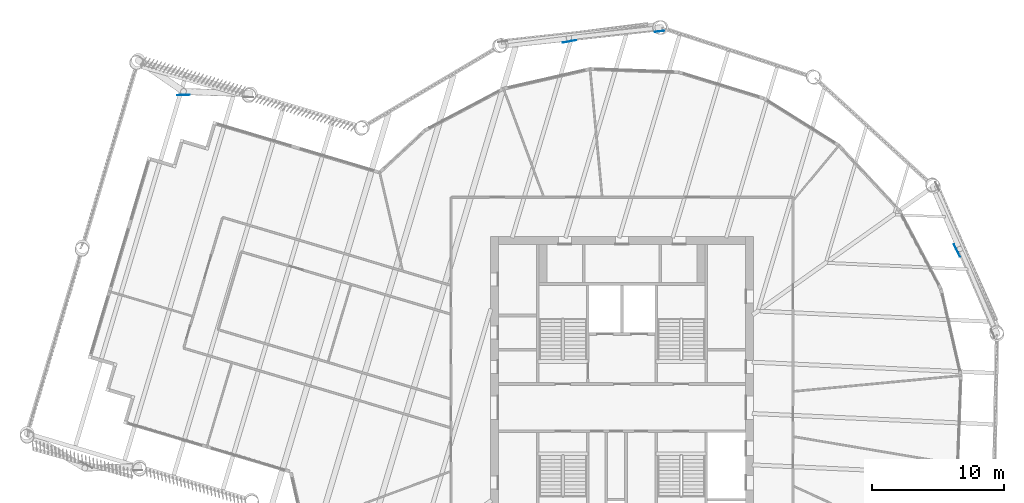
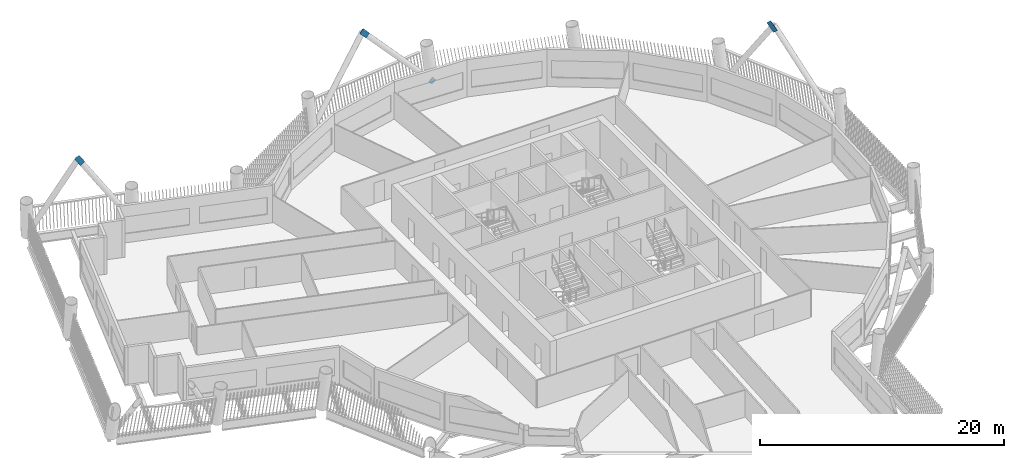
# One storey, part 11 of 24: 4 discrete accessories.
"""IFC4 building model written with IfcOpenShell, lengths in metres."""

from ifc_helpers import new_model, si_unit, direction, frame, origin, origin_2d, place, context, subcontext, project, spatial, rectangle, extrude, material, material_profile, profile_set, type_object, element, save


model = new_model("IFC4")

# Units and contexts
model_context = context("Model", 3, precision=1e-05, world=origin(), true_north=direction((0.0, 1.0)))
body_context = subcontext(model_context, "Body", "Model", "MODEL_VIEW")
ifc_project = project(units=[si_unit("LENGTHUNIT", "METRE"), si_unit("AREAUNIT", "SQUARE_METRE"), si_unit("VOLUMEUNIT", "CUBIC_METRE"), si_unit("PLANEANGLEUNIT", "RADIAN"), si_unit("MASSUNIT", "GRAM", prefix="KILO")], contexts=[model_context])

# Site, building, storey
site_placement = place(None, origin())
site = spatial("IfcSite", under=ifc_project, at=site_placement, CompositionType="ELEMENT")
building_placement = place(site_placement, origin())
building = spatial("IfcBuilding", under=site, at=building_placement, Name="Tarsis Ring Headquarters", CompositionType="ELEMENT")
storey_placement = place(building_placement, frame((0.0, 0.0, 216.0)))
storey = spatial("IfcBuildingStorey", under=building, at=storey_placement, Name="L50", CompositionType="ELEMENT", Elevation=216.0)

# Discrete accessories
ifc_material = material(Name="Structural steel S355", Category="steel")
ifc_material_profile = material_profile(ifc_material, rectangle(XDim=0.02490234375, YDim=0.5, at=origin_2d()), Name="PL 25x500")
ifc_profile_set = profile_set([ifc_material_profile], Name="Structural steel S355")
discrete_accessory_type = type_object("IfcDiscreteAccessoryType", Name="Gusset plate Exo brace 25", PredefinedType="BRACKET", material=ifc_profile_set)
discrete_accessory_1_placement = place(storey_placement, frame((25.618408203125, 11.64697265625, 7.4296875), z_axis=(-0.304175904082, 0.599075175455, 0.74066588522), x_axis=(-0.891648717535, -0.452727914445, 0.0)))
element("IfcDiscreteAccessory", 1, at=discrete_accessory_1_placement, inside=storey, type_object=discrete_accessory_type, Name="Gusset plate GP5", PredefinedType="BRACKET", context=body_context, shape_type="SweptSolid", body=[
    extrude(rectangle(XDim=0.02490234375, YDim=0.5, at=origin_2d()), origin(), (0.0, 0.0, 1.0), 1.0),
])
discrete_accessory_2_placement = place(storey_placement, frame((3.023193359375, 28.62890625, 0.0), z_axis=(-0.667824033194, -0.074690845818, 0.74056217716), x_axis=(0.111149102688, -0.993803741677, 0.0)))
element("IfcDiscreteAccessory", 2, at=discrete_accessory_2_placement, inside=storey, type_object=discrete_accessory_type, Name="Gusset plate GP5", PredefinedType="BRACKET", context=body_context, shape_type="SweptSolid", body=[
    extrude(rectangle(XDim=0.02490234375, YDim=0.5, at=origin_2d()), origin(), (0.0, 0.0, 1.0), 0.5),
])
discrete_accessory_3_placement = place(storey_placement, frame((-3.661376953125, 27.902587890625, 7.4296875), z_axis=(-0.661648384936, -0.116215731081, 0.740753210294), x_axis=(0.172997418525, -0.984922277738, 0.0)))
element("IfcDiscreteAccessory", 3, at=discrete_accessory_3_placement, inside=storey, type_object=discrete_accessory_type, Name="Gusset plate GP5", PredefinedType="BRACKET", context=body_context, shape_type="SweptSolid", body=[
    extrude(rectangle(XDim=0.02490234375, YDim=0.5, at=origin_2d()), origin(), (0.0, 0.0, 1.0), 1.0),
])
discrete_accessory_4_placement = place(storey_placement, frame((-33.064208984375, 23.77685546875, 7.38232421875), z_axis=(-0.549152563198, -0.015871461364, 0.835571396738), x_axis=(0.028889670704, -0.999582606355, 0.0)))
element("IfcDiscreteAccessory", 4, at=discrete_accessory_4_placement, inside=storey, type_object=discrete_accessory_type, Name="Gusset plate GP5", PredefinedType="BRACKET", context=body_context, shape_type="SweptSolid", body=[
    extrude(rectangle(XDim=0.02490234375, YDim=0.5, at=origin_2d()), origin(), (0.0, 0.0, 1.0), 0.999755859375),
])

save(model, "model.ifc")
